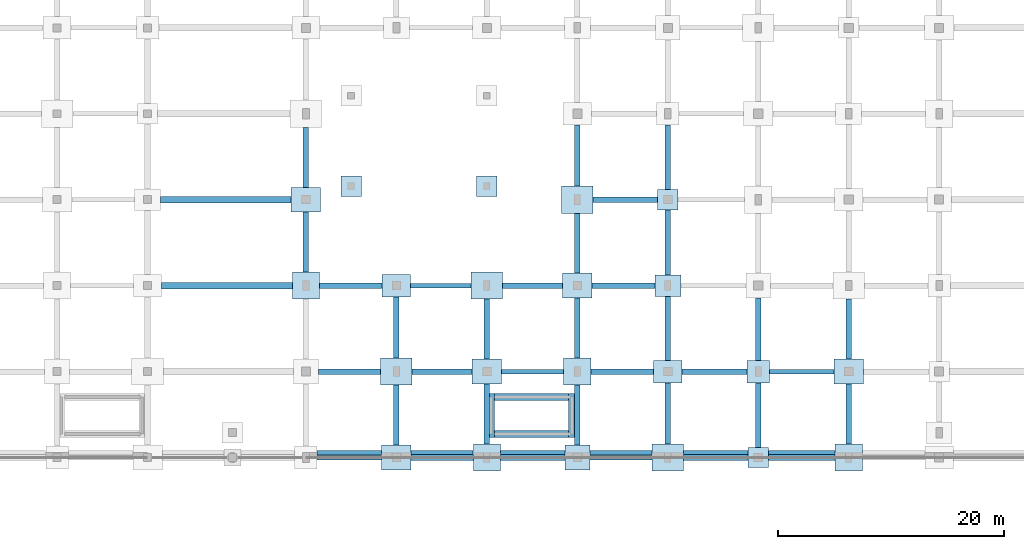
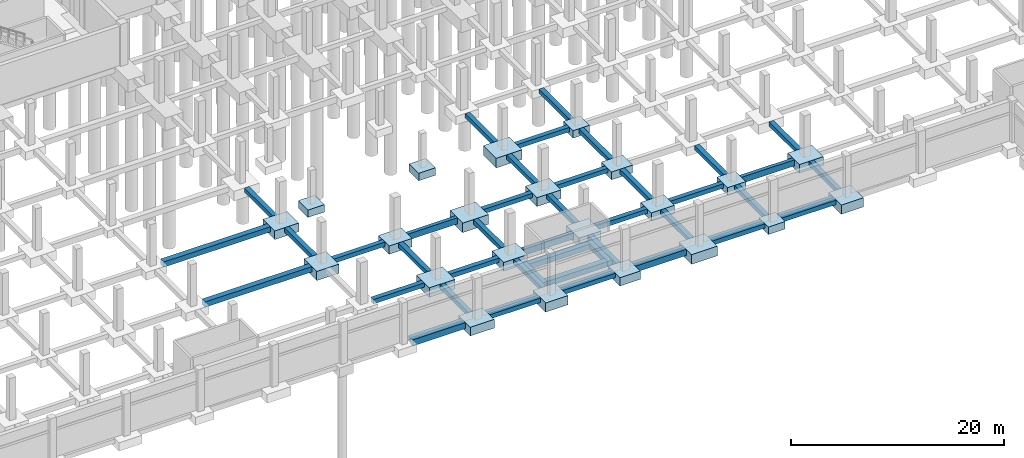
# One storey, part 6 of 50: 69 footings.
"""IFC4 building model written with IfcOpenShell, lengths in metres."""

from ifc_helpers import new_model, si_unit, direction, frame, origin, origin_2d, place, context, subcontext, project, spatial, polyline, rectangle, outline, extrude, material, material_profile, profile_set, type_object, element, save


model = new_model("IFC4")

# Units and contexts
model_context = context("Model", 3, precision=1e-05, world=origin(), true_north=direction((0.0, 1.0)))
body_context = subcontext(model_context, "Body", "Model", "MODEL_VIEW")
ifc_project = project(units=[si_unit("LENGTHUNIT", "METRE"), si_unit("AREAUNIT", "SQUARE_METRE"), si_unit("VOLUMEUNIT", "CUBIC_METRE"), si_unit("PLANEANGLEUNIT", "RADIAN"), si_unit("MASSUNIT", "GRAM", prefix="KILO")], contexts=[model_context])

# Site, building, storey
site_placement = place(None, origin())
site = spatial("IfcSite", under=ifc_project, at=site_placement, CompositionType="ELEMENT")
building_placement = place(site_placement, origin())
building = spatial("IfcBuilding", under=site, at=building_placement, Name="Vekula Escarpment Museum", CompositionType="ELEMENT")
storey_placement = place(building_placement, frame((0.0, 0.0, -4.800048828125)))
storey = spatial("IfcBuildingStorey", under=building, at=storey_placement, Name="B1", CompositionType="ELEMENT", Elevation=-4.800048828125)

# Footings
ifc_material_1 = material(Name="Concrete C35/45", Category="concrete")
footing_type_1 = type_object("IfcFootingType", Name="FB-STRIP-600", PredefinedType="STRIP_FOOTING", material=ifc_material_1)
footing_1_placement = place(storey_placement, frame((0.0, 0.0, -0.599853515625)))
element("IfcFooting", 1, at=footing_1_placement, inside=storey, type_object=footing_type_1, Name="Plinth Wall Strip Footing 0069", PredefinedType="STRIP_FOOTING", context=body_context, shape_type="SweptSolid", body=[
    extrude(outline(polyline([(76.696044921875, 0.64501953125), (76.696044921875, 0.2041015625), (71.00390625, 0.2041015625), (71.00390625, 0.64501953125), (76.696044921875, 0.64501953125)])), origin(), (0.0, 0.0, 1.0), 0.599853515625),
])
footing_2_placement = place(storey_placement, frame((0.0, 0.0, -0.599853515625)))
element("IfcFooting", 2, at=footing_2_placement, inside=storey, type_object=footing_type_1, Name="Plinth Wall Strip Footing 0070", PredefinedType="STRIP_FOOTING", context=body_context, shape_type="SweptSolid", body=[
    extrude(outline(polyline([(84.7958984375, 0.64501953125), (84.7958984375, 0.25390625), (79.303955078125, 0.25390625), (79.303955078125, 0.64501953125), (84.7958984375, 0.64501953125)])), origin(), (0.0, 0.0, 1.0), 0.599853515625),
])
footing_3_placement = place(storey_placement, frame((0.0, 0.0, -0.599853515625)))
element("IfcFooting", 3, at=footing_3_placement, inside=storey, type_object=footing_type_1, Name="Plinth Wall Strip Footing 0071", PredefinedType="STRIP_FOOTING", context=body_context, shape_type="SweptSolid", body=[
    extrude(outline(polyline([(92.89599609375, 0.64501953125), (92.89599609375, 0.25390625), (87.2041015625, 0.25390625), (87.2041015625, 0.64501953125), (92.89599609375, 0.64501953125)])), origin(), (0.0, 0.0, 1.0), 0.599853515625),
])
footing_4_placement = place(storey_placement, frame((0.0, 0.0, -0.599853515625)))
element("IfcFooting", 4, at=footing_4_placement, inside=storey, type_object=footing_type_1, Name="Plinth Wall Strip Footing 0072", PredefinedType="STRIP_FOOTING", context=body_context, shape_type="SweptSolid", body=[
    extrude(outline(polyline([(100.595947265625, 0.64501953125), (100.595947265625, 0.2041015625), (95.10400390625, 0.2041015625), (95.10400390625, 0.64501953125), (100.595947265625, 0.64501953125)])), origin(), (0.0, 0.0, 1.0), 0.599853515625),
])
footing_5_placement = place(storey_placement, frame((0.0, 0.0, -0.599853515625)))
element("IfcFooting", 5, at=footing_5_placement, inside=storey, type_object=footing_type_1, Name="Plinth Wall Strip Footing 0073", PredefinedType="STRIP_FOOTING", context=body_context, shape_type="SweptSolid", body=[
    extrude(outline(polyline([(109.095947265625, 0.64501953125), (109.095947265625, 0.25390625), (103.404052734375, 0.25390625), (103.404052734375, 0.64501953125), (109.095947265625, 0.64501953125)])), origin(), (0.0, 0.0, 1.0), 0.599853515625),
])
footing_6_placement = place(storey_placement, frame((0.0, 0.0, -0.599853515625)))
element("IfcFooting", 6, at=footing_6_placement, inside=storey, type_object=footing_type_1, Name="Plinth Wall Strip Footing 0074", PredefinedType="STRIP_FOOTING", context=body_context, shape_type="SweptSolid", body=[
    extrude(outline(polyline([(116.7958984375, 0.64501953125), (116.7958984375, 0.25390625), (110.904052734375, 0.25390625), (110.904052734375, 0.64501953125), (116.7958984375, 0.64501953125)])), origin(), (0.0, 0.0, 1.0), 0.599853515625),
])
footing_7_placement = place(storey_placement, frame((0.0, 0.0, -0.599853515625)))
element("IfcFooting", 7, at=footing_7_placement, inside=storey, type_object=footing_type_1, Name="Stair Core Strip Footing ST-11 W", PredefinedType="STRIP_FOOTING", context=body_context, shape_type="SweptSolid", body=[
    extrude(outline(polyline([(86.675048828125, 5.68505859375), (86.675048828125, 1.7548828125), (86.25390625, 1.7548828125), (86.25390625, 5.68505859375), (86.675048828125, 5.68505859375)])), origin(), (0.0, 0.0, 1.0), 0.599853515625),
])
footing_8_placement = place(storey_placement, frame((0.0, 0.0, -0.599853515625)))
element("IfcFooting", 8, at=footing_8_placement, inside=storey, type_object=footing_type_1, Name="Stair Core Strip Footing ST-11 E", PredefinedType="STRIP_FOOTING", context=body_context, shape_type="SweptSolid", body=[
    extrude(outline(polyline([(93.22509765625, 1.7548828125), (93.22509765625, 5.68505859375), (93.74609375, 5.68505859375), (93.74609375, 1.7548828125), (93.22509765625, 1.7548828125)])), origin(), (0.0, 0.0, 1.0), 0.599853515625),
])
footing_9_placement = place(storey_placement, frame((0.0, 0.0, -0.599853515625)))
element("IfcFooting", 9, at=footing_9_placement, inside=storey, type_object=footing_type_1, Name="Stair Core Strip Footing ST-11 S", PredefinedType="STRIP_FOOTING", context=body_context, shape_type="SweptSolid", body=[
    extrude(outline(polyline([(86.678955078125, 1.77490234375), (86.678955078125, 2.375), (93.220947265625, 2.375), (93.220947265625, 1.77490234375), (86.678955078125, 1.77490234375)])), origin(), (0.0, 0.0, 1.0), 0.599853515625),
])
footing_10_placement = place(storey_placement, frame((0.0, 0.0, -0.599853515625)))
element("IfcFooting", 10, at=footing_10_placement, inside=storey, type_object=footing_type_1, Name="Stair Core Strip Footing ST-11 N", PredefinedType="STRIP_FOOTING", context=body_context, shape_type="SweptSolid", body=[
    extrude(outline(polyline([(86.678955078125, 5.06494140625), (86.678955078125, 5.6650390625), (93.220947265625, 5.6650390625), (93.220947265625, 5.06494140625), (86.678955078125, 5.06494140625)])), origin(), (0.0, 0.0, 1.0), 0.599853515625),
])
ifc_material_2 = material(Name="Concrete C35/45", Category="concrete")
ifc_material_profile_1 = material_profile(ifc_material_2, rectangle(XDim=0.39990234375, YDim=0.699951171875, at=origin_2d()), Name="RC 400x700")
ifc_profile_set_1 = profile_set([ifc_material_profile_1], Name="Concrete C35/45")
footing_type_2 = type_object("IfcFootingType", Name="FB-TIE-400x700", PredefinedType="FOOTING_BEAM", material=ifc_profile_set_1)
footing_11_placement = place(storey_placement, frame((71.0, 0.0, -0.349853515625), z_axis=(1.0, 0.0, 0.0), x_axis=(0.0, 1.0, 0.0)))
element("IfcFooting", 11, at=footing_11_placement, inside=storey, type_object=footing_type_2, Name="Foundation Tie Beam 012", PredefinedType="FOOTING_BEAM", context=body_context, shape_type="SweptSolid", body=[
    extrude(rectangle(XDim=0.39990234375, YDim=0.699951171875, at=origin_2d()), origin(), (0.0, 0.0, 1.0), 5.699951171875),
])
for number, where, z_axis, x_axis, name in (
    (12, (95.10009765625, 0.0, -0.349853515625), (1.0, 0.0, 0.0), (0.0, 1.0, 0.0), "Foundation Tie Beam 015"),
    (13, (87.300048828125, 7.60009765625, -0.349853515625), (1.0, 0.0, 0.0), (0.0, 1.0, 0.0), "Foundation Tie Beam 033"),
):
    element("IfcFooting", number, at=place(storey_placement, frame(where, z_axis=z_axis, x_axis=x_axis)), inside=storey, type_object=footing_type_2, Name=name, PredefinedType="FOOTING_BEAM", context=body_context, shape_type="SweptSolid", body=[
        extrude(rectangle(XDim=0.39990234375, YDim=0.699951171875, at=origin_2d()), origin(), (0.0, 0.0, 1.0), 5.5),
    ])
footing_12_placement = place(storey_placement, frame((111.0, 7.60009765625, -0.349853515625), z_axis=(1.0, 0.0, 0.0), x_axis=(0.0, 1.0, 0.0)))
element("IfcFooting", 14, at=footing_12_placement, inside=storey, type_object=footing_type_2, Name="Foundation Tie Beam 036", PredefinedType="FOOTING_BEAM", context=body_context, shape_type="SweptSolid", body=[
    extrude(rectangle(XDim=0.39990234375, YDim=0.699951171875, at=origin_2d()), origin(), (0.0, 0.0, 1.0), 5.699951171875),
])
footing_13_placement = place(storey_placement, frame((79.25, 15.199951171875, -0.349853515625), z_axis=(1.0, 0.0, 0.0), x_axis=(0.0, 1.0, 0.0)))
element("IfcFooting", 15, at=footing_13_placement, inside=storey, type_object=footing_type_2, Name="Foundation Tie Beam 051", PredefinedType="FOOTING_BEAM", context=body_context, shape_type="SweptSolid", body=[
    extrude(rectangle(XDim=0.39990234375, YDim=0.699951171875, at=origin_2d()), origin(), (0.0, 0.0, 1.0), 5.35009765625),
])
ifc_material_3 = material(Name="Concrete C35/45", Category="concrete")
ifc_material_profile_2 = material_profile(ifc_material_3, rectangle(XDim=0.5, YDim=0.5, at=origin_2d()), Name="RC 500x500")
ifc_profile_set_2 = profile_set([ifc_material_profile_2], Name="Concrete C35/45")
footing_type_3 = type_object("IfcFootingType", Name="FB-TIE-500x500", PredefinedType="FOOTING_BEAM", material=ifc_profile_set_2)
footing_14_placement = place(storey_placement, frame((79.300048828125, 0.0, -0.25), z_axis=(1.0, 0.0, 0.0), x_axis=(0.0, 1.0, 0.0)))
element("IfcFooting", 16, at=footing_14_placement, inside=storey, type_object=footing_type_3, Name="Foundation Tie Beam 013", PredefinedType="FOOTING_BEAM", context=body_context, shape_type="SweptSolid", body=[
    extrude(rectangle(XDim=0.5, YDim=0.5, at=origin_2d()), origin(), (0.0, 0.0, 1.0), 5.5),
])
footing_15_placement = place(storey_placement, frame((87.199951171875, 0.0, -0.25), z_axis=(1.0, 0.0, 0.0), x_axis=(0.0, 1.0, 0.0)))
element("IfcFooting", 17, at=footing_15_placement, inside=storey, type_object=footing_type_3, Name="Foundation Tie Beam 014", PredefinedType="FOOTING_BEAM", context=body_context, shape_type="SweptSolid", body=[
    extrude(rectangle(XDim=0.5, YDim=0.5, at=origin_2d()), origin(), (0.0, 0.0, 1.0), 5.699951171875),
])
footing_16_placement = place(storey_placement, frame((103.39990234375, 0.0, -0.25), z_axis=(1.0, 0.0, 0.0), x_axis=(0.0, 1.0, 0.0)))
element("IfcFooting", 18, at=footing_16_placement, inside=storey, type_object=footing_type_3, Name="Foundation Tie Beam 016", PredefinedType="FOOTING_BEAM", context=body_context, shape_type="SweptSolid", body=[
    extrude(rectangle(XDim=0.5, YDim=0.5, at=origin_2d()), origin(), (0.0, 0.0, 1.0), 5.7001953125),
])
footing_17_placement = place(storey_placement, frame((110.89990234375, 0.0, -0.25), z_axis=(1.0, 0.0, 0.0), x_axis=(0.0, 1.0, 0.0)))
element("IfcFooting", 19, at=footing_17_placement, inside=storey, type_object=footing_type_3, Name="Foundation Tie Beam 017", PredefinedType="FOOTING_BEAM", context=body_context, shape_type="SweptSolid", body=[
    extrude(rectangle(XDim=0.5, YDim=0.5, at=origin_2d()), origin(), (0.0, 0.0, 1.0), 5.900146484375),
])
footing_18_placement = place(storey_placement, frame((71.10009765625, 7.60009765625, -0.25), z_axis=(1.0, 0.0, 0.0), x_axis=(0.0, 1.0, 0.0)))
element("IfcFooting", 20, at=footing_18_placement, inside=storey, type_object=footing_type_3, Name="Foundation Tie Beam 031", PredefinedType="FOOTING_BEAM", context=body_context, shape_type="SweptSolid", body=[
    extrude(rectangle(XDim=0.5, YDim=0.5, at=origin_2d()), origin(), (0.0, 0.0, 1.0), 5.5),
])
footing_19_placement = place(storey_placement, frame((79.39990234375, 7.60009765625, -0.25), z_axis=(1.0, 0.0, 0.0), x_axis=(0.0, 1.0, 0.0)))
element("IfcFooting", 21, at=footing_19_placement, inside=storey, type_object=footing_type_3, Name="Foundation Tie Beam 032", PredefinedType="FOOTING_BEAM", context=body_context, shape_type="SweptSolid", body=[
    extrude(rectangle(XDim=0.5, YDim=0.5, at=origin_2d()), origin(), (0.0, 0.0, 1.0), 5.300048828125),
])
footing_20_placement = place(storey_placement, frame((95.199951171875, 7.60009765625, -0.25), z_axis=(1.0, 0.0, 0.0), x_axis=(0.0, 1.0, 0.0)))
element("IfcFooting", 22, at=footing_20_placement, inside=storey, type_object=footing_type_3, Name="Foundation Tie Beam 034", PredefinedType="FOOTING_BEAM", context=body_context, shape_type="SweptSolid", body=[
    extrude(rectangle(XDim=0.5, YDim=0.5, at=origin_2d()), origin(), (0.0, 0.0, 1.0), 5.550048828125),
])
footing_21_placement = place(storey_placement, frame((103.25, 7.60009765625, -0.25), z_axis=(1.0, 0.0, 0.0), x_axis=(0.0, 1.0, 0.0)))
element("IfcFooting", 23, at=footing_21_placement, inside=storey, type_object=footing_type_3, Name="Foundation Tie Beam 035", PredefinedType="FOOTING_BEAM", context=body_context, shape_type="SweptSolid", body=[
    extrude(rectangle(XDim=0.5, YDim=0.5, at=origin_2d()), origin(), (0.0, 0.0, 1.0), 5.75),
])
footing_22_placement = place(storey_placement, frame((71.199951171875, 15.199951171875, -0.25), z_axis=(1.0, 0.0, 0.0), x_axis=(0.0, 1.0, 0.0)))
element("IfcFooting", 24, at=footing_22_placement, inside=storey, type_object=footing_type_3, Name="Foundation Tie Beam 050", PredefinedType="FOOTING_BEAM", context=body_context, shape_type="SweptSolid", body=[
    extrude(rectangle(XDim=0.5, YDim=0.5, at=origin_2d()), origin(), (0.0, 0.0, 1.0), 5.550048828125),
])
footing_23_placement = place(storey_placement, frame((87.39990234375, 15.199951171875, -0.25), z_axis=(1.0, 0.0, 0.0), x_axis=(0.0, 1.0, 0.0)))
element("IfcFooting", 25, at=footing_23_placement, inside=storey, type_object=footing_type_3, Name="Foundation Tie Beam 052", PredefinedType="FOOTING_BEAM", context=body_context, shape_type="SweptSolid", body=[
    extrude(rectangle(XDim=0.5, YDim=0.5, at=origin_2d()), origin(), (0.0, 0.0, 1.0), 5.300048828125),
])
footing_24_placement = place(storey_placement, frame((95.300048828125, 15.199951171875, -0.25), z_axis=(1.0, 0.0, 0.0), x_axis=(0.0, 1.0, 0.0)))
element("IfcFooting", 26, at=footing_24_placement, inside=storey, type_object=footing_type_3, Name="Foundation Tie Beam 053", PredefinedType="FOOTING_BEAM", context=body_context, shape_type="SweptSolid", body=[
    extrude(rectangle(XDim=0.5, YDim=0.5, at=origin_2d()), origin(), (0.0, 0.0, 1.0), 5.550048828125),
])
footing_25_placement = place(storey_placement, frame((95.39990234375, 22.800048828125, -0.25), z_axis=(1.0, 0.0, 0.0), x_axis=(0.0, 1.0, 0.0)))
element("IfcFooting", 27, at=footing_25_placement, inside=storey, type_object=footing_type_3, Name="Foundation Tie Beam 071", PredefinedType="FOOTING_BEAM", context=body_context, shape_type="SweptSolid", body=[
    extrude(rectangle(XDim=0.5, YDim=0.5, at=origin_2d()), origin(), (0.0, 0.0, 1.0), 5.7001953125),
])
for number, where, z_axis, x_axis, name in (
    (28, (70.0, 16.39990234375, -0.25), (0.0, 1.0, 0.0), (-1.0, 0.0, 0.0), "Foundation Tie Beam 552"),
    (29, (70.0, 23.89990234375, -0.25), (0.0, 1.0, 0.0), (-1.0, 0.0, 0.0), "Foundation Tie Beam 553"),
):
    element("IfcFooting", number, at=place(storey_placement, frame(where, z_axis=z_axis, x_axis=x_axis)), inside=storey, type_object=footing_type_3, Name=name, PredefinedType="FOOTING_BEAM", context=body_context, shape_type="SweptSolid", body=[
        extrude(rectangle(XDim=0.5, YDim=0.5, at=origin_2d()), origin(), (0.0, 0.0, 1.0), 5.300048828125),
    ])
footing_26_placement = place(storey_placement, frame((78.0, 1.10009765625, -0.25), z_axis=(0.0, 1.0, 0.0), x_axis=(-1.0, 0.0, 0.0)))
element("IfcFooting", 30, at=footing_26_placement, inside=storey, type_object=footing_type_3, Name="Foundation Tie Beam 568", PredefinedType="FOOTING_BEAM", context=body_context, shape_type="SweptSolid", body=[
    extrude(rectangle(XDim=0.5, YDim=0.5, at=origin_2d()), origin(), (0.0, 0.0, 1.0), 5.2998046875),
])
footing_27_placement = place(storey_placement, frame((78.0, 8.800048828125, -0.25), z_axis=(0.0, 1.0, 0.0), x_axis=(-1.0, 0.0, 0.0)))
element("IfcFooting", 31, at=footing_27_placement, inside=storey, type_object=footing_type_3, Name="Foundation Tie Beam 569", PredefinedType="FOOTING_BEAM", context=body_context, shape_type="SweptSolid", body=[
    extrude(rectangle(XDim=0.5, YDim=0.5, at=origin_2d()), origin(), (0.0, 0.0, 1.0), 5.39990234375),
])
for number, where, z_axis, x_axis, name in (
    (32, (86.0, 1.199951171875, -0.25), (0.0, 1.0, 0.0), (-1.0, 0.0, 0.0), "Foundation Tie Beam 580"),
    (33, (86.0, 8.699951171875, -0.25), (0.0, 1.0, 0.0), (-1.0, 0.0, 0.0), "Foundation Tie Beam 581"),
):
    element("IfcFooting", number, at=place(storey_placement, frame(where, z_axis=z_axis, x_axis=x_axis)), inside=storey, type_object=footing_type_3, Name=name, PredefinedType="FOOTING_BEAM", context=body_context, shape_type="SweptSolid", body=[
        extrude(rectangle(XDim=0.5, YDim=0.5, at=origin_2d()), origin(), (0.0, 0.0, 1.0), 5.300048828125),
    ])
footing_28_placement = place(storey_placement, frame((94.0, 1.10009765625, -0.25), z_axis=(0.0, 1.0, 0.0), x_axis=(-1.0, 0.0, 0.0)))
element("IfcFooting", 34, at=footing_28_placement, inside=storey, type_object=footing_type_3, Name="Foundation Tie Beam 592", PredefinedType="FOOTING_BEAM", context=body_context, shape_type="SweptSolid", body=[
    extrude(rectangle(XDim=0.5, YDim=0.5, at=origin_2d()), origin(), (0.0, 0.0, 1.0), 5.2998046875),
])
for number, where, z_axis, x_axis, name in (
    (35, (94.0, 8.800048828125, -0.25), (0.0, 1.0, 0.0), (-1.0, 0.0, 0.0), "Foundation Tie Beam 593"),
    (36, (94.0, 16.300048828125, -0.25), (0.0, 1.0, 0.0), (-1.0, 0.0, 0.0), "Foundation Tie Beam 594"),
):
    element("IfcFooting", number, at=place(storey_placement, frame(where, z_axis=z_axis, x_axis=x_axis)), inside=storey, type_object=footing_type_3, Name=name, PredefinedType="FOOTING_BEAM", context=body_context, shape_type="SweptSolid", body=[
        extrude(rectangle(XDim=0.5, YDim=0.5, at=origin_2d()), origin(), (0.0, 0.0, 1.0), 5.300048828125),
    ])
footing_29_placement = place(storey_placement, frame((94.0, 24.0, -0.25), z_axis=(0.0, 1.0, 0.0), x_axis=(-1.0, 0.0, 0.0)))
element("IfcFooting", 37, at=footing_29_placement, inside=storey, type_object=footing_type_3, Name="Foundation Tie Beam 595", PredefinedType="FOOTING_BEAM", context=body_context, shape_type="SweptSolid", body=[
    extrude(rectangle(XDim=0.5, YDim=0.5, at=origin_2d()), origin(), (0.0, 0.0, 1.0), 5.39990234375),
])
footing_30_placement = place(storey_placement, frame((102.0, 1.199951171875, -0.25), z_axis=(0.0, 1.0, 0.0), x_axis=(-1.0, 0.0, 0.0)))
element("IfcFooting", 38, at=footing_30_placement, inside=storey, type_object=footing_type_3, Name="Foundation Tie Beam 610", PredefinedType="FOOTING_BEAM", context=body_context, shape_type="SweptSolid", body=[
    extrude(rectangle(XDim=0.5, YDim=0.5, at=origin_2d()), origin(), (0.0, 0.0, 1.0), 5.400146484375),
])
footing_31_placement = place(storey_placement, frame((102.0, 8.60009765625, -0.25), z_axis=(0.0, 1.0, 0.0), x_axis=(-1.0, 0.0, 0.0)))
element("IfcFooting", 39, at=footing_31_placement, inside=storey, type_object=footing_type_3, Name="Foundation Tie Beam 611", PredefinedType="FOOTING_BEAM", context=body_context, shape_type="SweptSolid", body=[
    extrude(rectangle(XDim=0.5, YDim=0.5, at=origin_2d()), origin(), (0.0, 0.0, 1.0), 5.64990234375),
])
footing_32_placement = place(storey_placement, frame((102.0, 16.14990234375, -0.25), z_axis=(0.0, 1.0, 0.0), x_axis=(-1.0, 0.0, 0.0)))
element("IfcFooting", 40, at=footing_32_placement, inside=storey, type_object=footing_type_3, Name="Foundation Tie Beam 612", PredefinedType="FOOTING_BEAM", context=body_context, shape_type="SweptSolid", body=[
    extrude(rectangle(XDim=0.5, YDim=0.5, at=origin_2d()), origin(), (0.0, 0.0, 1.0), 5.75),
])
footing_33_placement = place(storey_placement, frame((102.0, 23.699951171875, -0.25), z_axis=(0.0, 1.0, 0.0), x_axis=(-1.0, 0.0, 0.0)))
element("IfcFooting", 41, at=footing_33_placement, inside=storey, type_object=footing_type_3, Name="Foundation Tie Beam 613", PredefinedType="FOOTING_BEAM", context=body_context, shape_type="SweptSolid", body=[
    extrude(rectangle(XDim=0.5, YDim=0.5, at=origin_2d()), origin(), (0.0, 0.0, 1.0), 5.699951171875),
])
footing_34_placement = place(storey_placement, frame((110.0, 0.89990234375, -0.25), z_axis=(0.0, 1.0, 0.0), x_axis=(-1.0, 0.0, 0.0)))
element("IfcFooting", 42, at=footing_34_placement, inside=storey, type_object=footing_type_3, Name="Foundation Tie Beam 628", PredefinedType="FOOTING_BEAM", context=body_context, shape_type="SweptSolid", body=[
    extrude(rectangle(XDim=0.5, YDim=0.5, at=origin_2d()), origin(), (0.0, 0.0, 1.0), 5.7001953125),
])
footing_35_placement = place(storey_placement, frame((110.0, 8.60009765625, -0.25), z_axis=(0.0, 1.0, 0.0), x_axis=(-1.0, 0.0, 0.0)))
element("IfcFooting", 43, at=footing_35_placement, inside=storey, type_object=footing_type_3, Name="Foundation Tie Beam 629", PredefinedType="FOOTING_BEAM", context=body_context, shape_type="SweptSolid", body=[
    extrude(rectangle(XDim=0.5, YDim=0.5, at=origin_2d()), origin(), (0.0, 0.0, 1.0), 5.5),
])
for number, where, z_axis, x_axis, name in (
    (44, (118.0, 1.199951171875, -0.25), (0.0, 1.0, 0.0), (-1.0, 0.0, 0.0), "Foundation Tie Beam 646"),
    (45, (118.0, 8.699951171875, -0.25), (0.0, 1.0, 0.0), (-1.0, 0.0, 0.0), "Foundation Tie Beam 647"),
):
    element("IfcFooting", number, at=place(storey_placement, frame(where, z_axis=z_axis, x_axis=x_axis)), inside=storey, type_object=footing_type_3, Name=name, PredefinedType="FOOTING_BEAM", context=body_context, shape_type="SweptSolid", body=[
        extrude(rectangle(XDim=0.5, YDim=0.5, at=origin_2d()), origin(), (0.0, 0.0, 1.0), 5.300048828125),
    ])
ifc_material_4 = material(Name="Concrete C35/45", Category="concrete")
ifc_material_profile_3 = material_profile(ifc_material_4, rectangle(XDim=0.60009765625, YDim=0.60009765625, at=origin_2d()), Name="RC 600x600")
ifc_profile_set_3 = profile_set([ifc_material_profile_3], Name="Concrete C35/45")
footing_type_4 = type_object("IfcFootingType", Name="FB-TIE-600x600", PredefinedType="FOOTING_BEAM", material=ifc_profile_set_3)
for number, where, z_axis, x_axis, name in (
    (46, (57.25, 15.199951171875, -0.300048828125), (1.0, 0.0, 0.0), (0.0, 1.0, 0.0), "Foundation Tie Beam 049"),
    (47, (57.14990234375, 22.800048828125, -0.300048828125), (1.0, 0.0, 0.0), (0.0, 1.0, 0.0), "Foundation Tie Beam 070"),
):
    element("IfcFooting", number, at=place(storey_placement, frame(where, z_axis=z_axis, x_axis=x_axis)), inside=storey, type_object=footing_type_4, Name=name, PredefinedType="FOOTING_BEAM", context=body_context, shape_type="SweptSolid", body=[
        extrude(rectangle(XDim=0.60009765625, YDim=0.60009765625, at=origin_2d()), origin(), (0.0, 0.0, 1.0), 11.550048828125),
    ])
ifc_material_5 = material(Name="Concrete C35/45", Category="concrete")
footing_type_5 = type_object("IfcFootingType", Name="FC-PAD1", PredefinedType="PAD_FOOTING", material=ifc_material_5)
footing_36_placement = place(storey_placement, frame((0.0, 0.0, -0.849853515625)))
element("IfcFooting", 48, at=footing_36_placement, inside=storey, type_object=footing_type_5, Name="Foundation FC-PAD1 (102.0,22.8)", PredefinedType="PAD_FOOTING", context=body_context, shape_type="SweptSolid", body=[
    extrude(outline(polyline([(101.10009765625, 21.89990234375), (102.89990234375, 21.89990234375), (102.89990234375, 23.699951171875), (101.10009765625, 23.699951171875), (101.10009765625, 21.89990234375)])), origin(), (0.0, 0.0, 1.0), 0.849853515625),
])
footing_37_placement = place(storey_placement, frame((0.0, 0.0, -0.849853515625)))
element("IfcFooting", 49, at=footing_37_placement, inside=storey, type_object=footing_type_5, Name="Foundation FC-PAD1 (110.0,0.0)", PredefinedType="PAD_FOOTING", context=body_context, shape_type="SweptSolid", body=[
    extrude(outline(polyline([(109.10009765625, -0.89990234375), (110.89990234375, -0.89990234375), (110.89990234375, 0.89990234375), (109.10009765625, 0.89990234375), (109.10009765625, -0.89990234375)])), origin(), (0.0, 0.0, 1.0), 0.849853515625),
])
footing_38_placement = place(storey_placement, frame((0.0, 0.0, -0.849853515625)))
element("IfcFooting", 50, at=footing_38_placement, inside=storey, type_object=footing_type_5, Name="Basin Foundation Pad S1", PredefinedType="PAD_FOOTING", context=body_context, shape_type="SweptSolid", body=[
    extrude(outline(polyline([(73.10009765625, 23.10009765625), (74.89990234375, 23.10009765625), (74.89990234375, 24.89990234375), (73.10009765625, 24.89990234375), (73.10009765625, 23.10009765625)])), origin(), (0.0, 0.0, 1.0), 0.849853515625),
])
footing_39_placement = place(storey_placement, frame((0.0, 0.0, -0.849853515625)))
element("IfcFooting", 51, at=footing_39_placement, inside=storey, type_object=footing_type_5, Name="Basin Foundation Pad S2", PredefinedType="PAD_FOOTING", context=body_context, shape_type="SweptSolid", body=[
    extrude(outline(polyline([(85.10009765625, 23.10009765625), (86.89990234375, 23.10009765625), (86.89990234375, 24.89990234375), (85.10009765625, 24.89990234375), (85.10009765625, 23.10009765625)])), origin(), (0.0, 0.0, 1.0), 0.849853515625),
])
ifc_material_6 = material(Name="Concrete C35/45", Category="concrete")
footing_type_6 = type_object("IfcFootingType", Name="FC-PAD2", PredefinedType="PAD_FOOTING", material=ifc_material_6)
footing_40_placement = place(storey_placement, frame((0.0, 0.0, -0.89990234375)))
element("IfcFooting", 52, at=footing_40_placement, inside=storey, type_object=footing_type_6, Name="Foundation FC-PAD2 (110.0,7.6)", PredefinedType="PAD_FOOTING", context=body_context, shape_type="SweptSolid", body=[
    extrude(outline(polyline([(109.0, 6.60009765625), (111.0, 6.60009765625), (111.0, 8.60009765625), (109.0, 8.60009765625), (109.0, 6.60009765625)])), origin(), (0.0, 0.0, 1.0), 0.89990234375),
])
ifc_material_7 = material(Name="Concrete C35/45", Category="concrete")
footing_type_7 = type_object("IfcFootingType", Name="FC-PAD3", PredefinedType="PAD_FOOTING", material=ifc_material_7)
footing_41_placement = place(storey_placement, frame((0.0, 0.0, -0.949951171875)))
element("IfcFooting", 53, at=footing_41_placement, inside=storey, type_object=footing_type_7, Name="Foundation FC-PAD3 (94.0,0.0)", PredefinedType="PAD_FOOTING", context=body_context, shape_type="SweptSolid", body=[
    extrude(outline(polyline([(92.89990234375, -1.10009765625), (95.10009765625, -1.10009765625), (95.10009765625, 1.10009765625), (92.89990234375, 1.10009765625), (92.89990234375, -1.10009765625)])), origin(), (0.0, 0.0, 1.0), 0.949951171875),
])
ifc_material_8 = material(Name="Concrete C35/45", Category="concrete")
footing_type_8 = type_object("IfcFootingType", Name="FC-PAD4", PredefinedType="PAD_FOOTING", material=ifc_material_8)
footing_42_placement = place(storey_placement, frame((0.0, 0.0, -1.050048828125)))
element("IfcFooting", 54, at=footing_42_placement, inside=storey, type_object=footing_type_8, Name="Foundation FC-PAD4 (70.0,15.2)", PredefinedType="PAD_FOOTING", context=body_context, shape_type="SweptSolid", body=[
    extrude(outline(polyline([(68.800048828125, 14.0), (71.199951171875, 14.0), (71.199951171875, 16.39990234375), (68.800048828125, 16.39990234375), (68.800048828125, 14.0)])), origin(), (0.0, 0.0, 1.0), 1.050048828125),
])
footing_43_placement = place(storey_placement, frame((0.0, 0.0, -1.050048828125)))
element("IfcFooting", 55, at=footing_43_placement, inside=storey, type_object=footing_type_8, Name="Foundation FC-PAD4 (86.0,0.0)", PredefinedType="PAD_FOOTING", context=body_context, shape_type="SweptSolid", body=[
    extrude(outline(polyline([(84.800048828125, -1.199951171875), (87.199951171875, -1.199951171875), (87.199951171875, 1.199951171875), (84.800048828125, 1.199951171875), (84.800048828125, -1.199951171875)])), origin(), (0.0, 0.0, 1.0), 1.050048828125),
])
footing_44_placement = place(storey_placement, frame((0.0, 0.0, -1.050048828125)))
element("IfcFooting", 56, at=footing_44_placement, inside=storey, type_object=footing_type_8, Name="Foundation FC-PAD4 (94.0,7.6)", PredefinedType="PAD_FOOTING", context=body_context, shape_type="SweptSolid", body=[
    extrude(outline(polyline([(92.800048828125, 6.39990234375), (95.199951171875, 6.39990234375), (95.199951171875, 8.800048828125), (92.800048828125, 8.800048828125), (92.800048828125, 6.39990234375)])), origin(), (0.0, 0.0, 1.0), 1.050048828125),
])
footing_45_placement = place(storey_placement, frame((0.0, 0.0, -1.050048828125)))
element("IfcFooting", 57, at=footing_45_placement, inside=storey, type_object=footing_type_8, Name="Foundation FC-PAD4 (118.0,0.0)", PredefinedType="PAD_FOOTING", context=body_context, shape_type="SweptSolid", body=[
    extrude(outline(polyline([(116.800048828125, -1.199951171875), (119.199951171875, -1.199951171875), (119.199951171875, 1.199951171875), (116.800048828125, 1.199951171875), (116.800048828125, -1.199951171875)])), origin(), (0.0, 0.0, 1.0), 1.050048828125),
])
ifc_material_9 = material(Name="Concrete C35/45", Category="concrete")
footing_type_9 = type_object("IfcFootingType", Name="FC-PAD5", PredefinedType="PAD_FOOTING", material=ifc_material_9)
footing_46_placement = place(storey_placement, frame((0.0, 0.0, -1.0)))
element("IfcFooting", 58, at=footing_46_placement, inside=storey, type_object=footing_type_9, Name="Foundation FC-PAD5 (70.0,22.8)", PredefinedType="PAD_FOOTING", context=body_context, shape_type="SweptSolid", body=[
    extrude(outline(polyline([(68.699951171875, 21.699951171875), (71.300048828125, 21.699951171875), (71.300048828125, 23.89990234375), (68.699951171875, 23.89990234375), (68.699951171875, 21.699951171875)])), origin(), (0.0, 0.0, 1.0), 1.0),
])
footing_47_placement = place(storey_placement, frame((0.0, 0.0, -1.0)))
element("IfcFooting", 59, at=footing_47_placement, inside=storey, type_object=footing_type_9, Name="Foundation FC-PAD5 (78.0,0.0)", PredefinedType="PAD_FOOTING", context=body_context, shape_type="SweptSolid", body=[
    extrude(outline(polyline([(76.699951171875, -1.10009765625), (79.300048828125, -1.10009765625), (79.300048828125, 1.10009765625), (76.699951171875, 1.10009765625), (76.699951171875, -1.10009765625)])), origin(), (0.0, 0.0, 1.0), 1.0),
])
footing_48_placement = place(storey_placement, frame((0.0, 0.0, -1.0)))
element("IfcFooting", 60, at=footing_48_placement, inside=storey, type_object=footing_type_9, Name="Foundation FC-PAD5 (86.0,7.6)", PredefinedType="PAD_FOOTING", context=body_context, shape_type="SweptSolid", body=[
    extrude(outline(polyline([(84.699951171875, 6.5), (87.300048828125, 6.5), (87.300048828125, 8.699951171875), (84.699951171875, 8.699951171875), (84.699951171875, 6.5)])), origin(), (0.0, 0.0, 1.0), 1.0),
])
footing_49_placement = place(storey_placement, frame((0.0, 0.0, -1.0)))
element("IfcFooting", 61, at=footing_49_placement, inside=storey, type_object=footing_type_9, Name="Foundation FC-PAD5 (94.0,15.2)", PredefinedType="PAD_FOOTING", context=body_context, shape_type="SweptSolid", body=[
    extrude(outline(polyline([(92.699951171875, 14.10009765625), (95.300048828125, 14.10009765625), (95.300048828125, 16.300048828125), (92.699951171875, 16.300048828125), (92.699951171875, 14.10009765625)])), origin(), (0.0, 0.0, 1.0), 1.0),
])
footing_50_placement = place(storey_placement, frame((0.0, 0.0, -1.0)))
element("IfcFooting", 62, at=footing_50_placement, inside=storey, type_object=footing_type_9, Name="Foundation FC-PAD5 (118.0,7.6)", PredefinedType="PAD_FOOTING", context=body_context, shape_type="SweptSolid", body=[
    extrude(outline(polyline([(116.699951171875, 6.5), (119.300048828125, 6.5), (119.300048828125, 8.699951171875), (116.699951171875, 8.699951171875), (116.699951171875, 6.5)])), origin(), (0.0, 0.0, 1.0), 1.0),
])
ifc_material_10 = material(Name="Concrete C35/45", Category="concrete")
footing_type_10 = type_object("IfcFootingType", Name="FC-PAD6", PredefinedType="PAD_FOOTING", material=ifc_material_10)
footing_51_placement = place(storey_placement, frame((0.0, 0.0, -1.099853515625)))
element("IfcFooting", 63, at=footing_51_placement, inside=storey, type_object=footing_type_10, Name="Foundation FC-PAD6 (78.0,7.6)", PredefinedType="PAD_FOOTING", context=body_context, shape_type="SweptSolid", body=[
    extrude(outline(polyline([(76.60009765625, 6.39990234375), (79.39990234375, 6.39990234375), (79.39990234375, 8.800048828125), (76.60009765625, 8.800048828125), (76.60009765625, 6.39990234375)])), origin(), (0.0, 0.0, 1.0), 1.099853515625),
])
footing_52_placement = place(storey_placement, frame((0.0, 0.0, -1.099853515625)))
element("IfcFooting", 64, at=footing_52_placement, inside=storey, type_object=footing_type_10, Name="Foundation FC-PAD6 (86.0,15.2)", PredefinedType="PAD_FOOTING", context=body_context, shape_type="SweptSolid", body=[
    extrude(outline(polyline([(84.60009765625, 14.0), (87.39990234375, 14.0), (87.39990234375, 16.39990234375), (84.60009765625, 16.39990234375), (84.60009765625, 14.0)])), origin(), (0.0, 0.0, 1.0), 1.099853515625),
])
footing_53_placement = place(storey_placement, frame((0.0, 0.0, -1.099853515625)))
element("IfcFooting", 65, at=footing_53_placement, inside=storey, type_object=footing_type_10, Name="Foundation FC-PAD6 (94.0,22.8)", PredefinedType="PAD_FOOTING", context=body_context, shape_type="SweptSolid", body=[
    extrude(outline(polyline([(92.60009765625, 21.60009765625), (95.39990234375, 21.60009765625), (95.39990234375, 24.0), (92.60009765625, 24.0), (92.60009765625, 21.60009765625)])), origin(), (0.0, 0.0, 1.0), 1.099853515625),
])
footing_54_placement = place(storey_placement, frame((0.0, 0.0, -1.099853515625)))
element("IfcFooting", 66, at=footing_54_placement, inside=storey, type_object=footing_type_10, Name="Foundation FC-PAD6 (102.0,0.0)", PredefinedType="PAD_FOOTING", context=body_context, shape_type="SweptSolid", body=[
    extrude(outline(polyline([(100.60009765625, -1.199951171875), (103.39990234375, -1.199951171875), (103.39990234375, 1.199951171875), (100.60009765625, 1.199951171875), (100.60009765625, -1.199951171875)])), origin(), (0.0, 0.0, 1.0), 1.099853515625),
])
ifc_material_11 = material(Name="Concrete C35/45", Category="concrete")
footing_type_11 = type_object("IfcFootingType", Name="FC-PAD7", PredefinedType="PAD_FOOTING", material=ifc_material_11)
footing_55_placement = place(storey_placement, frame((0.0, 0.0, -0.949951171875)))
element("IfcFooting", 67, at=footing_55_placement, inside=storey, type_object=footing_type_11, Name="Foundation FC-PAD7 (78.0,15.2)", PredefinedType="PAD_FOOTING", context=body_context, shape_type="SweptSolid", body=[
    extrude(outline(polyline([(76.75, 14.199951171875), (79.25, 14.199951171875), (79.25, 16.199951171875), (76.75, 16.199951171875), (76.75, 14.199951171875)])), origin(), (0.0, 0.0, 1.0), 0.949951171875),
])
footing_56_placement = place(storey_placement, frame((0.0, 0.0, -0.949951171875)))
element("IfcFooting", 68, at=footing_56_placement, inside=storey, type_object=footing_type_11, Name="Foundation FC-PAD7 (102.0,7.6)", PredefinedType="PAD_FOOTING", context=body_context, shape_type="SweptSolid", body=[
    extrude(outline(polyline([(100.75, 6.60009765625), (103.25, 6.60009765625), (103.25, 8.60009765625), (100.75, 8.60009765625), (100.75, 6.60009765625)])), origin(), (0.0, 0.0, 1.0), 0.949951171875),
])
ifc_material_12 = material(Name="Concrete C35/45", Category="concrete")
footing_type_12 = type_object("IfcFootingType", Name="FC-PAD8", PredefinedType="PAD_FOOTING", material=ifc_material_12)
footing_57_placement = place(storey_placement, frame((0.0, 0.0, -0.89990234375)))
element("IfcFooting", 69, at=footing_57_placement, inside=storey, type_object=footing_type_12, Name="Foundation FC-PAD8 (102.0,15.2)", PredefinedType="PAD_FOOTING", context=body_context, shape_type="SweptSolid", body=[
    extrude(outline(polyline([(100.85009765625, 14.25), (103.14990234375, 14.25), (103.14990234375, 16.14990234375), (100.85009765625, 16.14990234375), (100.85009765625, 14.25)])), origin(), (0.0, 0.0, 1.0), 0.89990234375),
])

save(model, "model.ifc")
